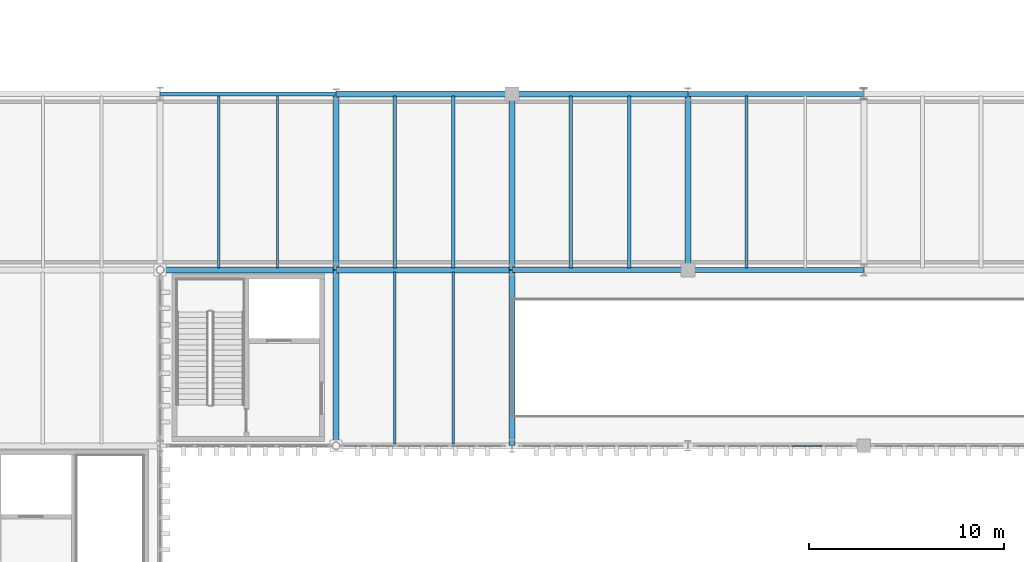
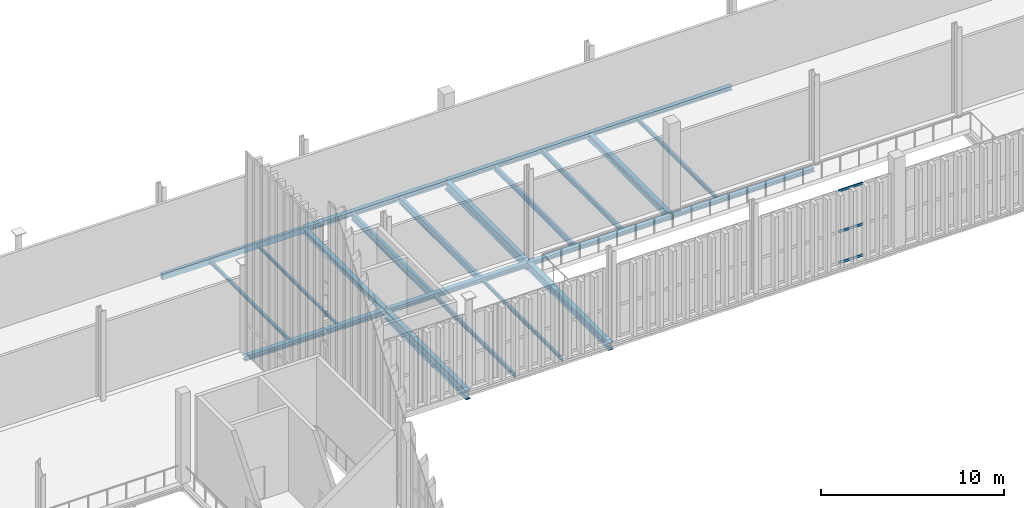
# One storey, part 82 of 237: 22 beams, 3 members, 1 element without a shape of its own.
"""IFC4 building model written with IfcOpenShell, lengths in metres."""

from ifc_helpers import new_model, si_unit, direction, frame, origin, origin_2d, place, context, subcontext, project, spatial, hollow_rectangle, i_section, extrude, material, layer, layer_set, material_profile, profile_set, type_object, element, aggregate, save


model = new_model("IFC4")

# Units and contexts
model_context = context("Model", 3, precision=1e-05, world=origin(), true_north=direction((0.0, 1.0)))
body_context = subcontext(model_context, "Body", "Model", "MODEL_VIEW")
ifc_project = project(units=[si_unit("LENGTHUNIT", "METRE"), si_unit("AREAUNIT", "SQUARE_METRE"), si_unit("VOLUMEUNIT", "CUBIC_METRE"), si_unit("PLANEANGLEUNIT", "RADIAN"), si_unit("MASSUNIT", "GRAM", prefix="KILO")], contexts=[model_context])

# Site, building, storey
site_placement = place(None, origin())
site = spatial("IfcSite", under=ifc_project, at=site_placement, CompositionType="ELEMENT")
building_placement = place(site_placement, origin())
building = spatial("IfcBuilding", under=site, at=building_placement, Name="Barlavento Convention Centre", CompositionType="ELEMENT")
storey_placement = place(building_placement, frame((0.0, 0.0, 12.0)))
storey = spatial("IfcBuildingStorey", under=building, at=storey_placement, Name="L02", CompositionType="ELEMENT", Elevation=12.0)

# Curtain wall, members
ifc_material_1 = material(Name="Powder-coated aluminium and Low-E glass", Category="aluminium")
ifc_layer = layer(ifc_material_1, 0.195068359375)
ifc_layer_set = layer_set([ifc_layer], Name="ARC-CW-BALL-L02")
curtain_wall_type = type_object("IfcCurtainWallType", Name="ARC-CW-BALL-L02", PredefinedType="NOTDEFINED", material=ifc_layer_set)
curtain_wall_placement = place(storey_placement, origin())
curtain_wall = element("IfcCurtainWall", 1, at=curtain_wall_placement, inside=storey, type_object=curtain_wall_type, Name="L02 unitised curtain wall CW07", PredefinedType="NOTDEFINED")
ifc_material_2 = material(Name="Powder-coated aluminium", Category="aluminium")
ifc_material_profile_1 = material_profile(ifc_material_2, hollow_rectangle(XDim=0.06494140625, YDim=0.159912109375, WallThickness=0.0048828125, at=origin_2d()), Name="AL-TRAN 65x160x5")
ifc_profile_set_1 = profile_set([ifc_material_profile_1], Name="Powder-coated aluminium")
member_type = type_object("IfcMemberType", Name="ARC-CWT-65X160", PredefinedType="USERDEFINED", material=ifc_profile_set_1)
member_1_placement = place(storey_placement, frame((95.311279296875, 45.0, 0.032470703125), z_axis=(1.0, 0.0, 0.0), x_axis=(0.0, 1.0, 0.0)))
member_1 = element("IfcMember", 2, at=member_1_placement, type_object=member_type, Name="CW07 transom 4.1", ObjectType="TRANSOM", PredefinedType="USERDEFINED", context=body_context, shape_type="SweptSolid", body=[
    extrude(hollow_rectangle(XDim=0.06494140625, YDim=0.159912109375, WallThickness=0.0048828125, at=origin_2d()), origin(), (0.0, 0.0, 1.0), 1.58056640625),
])
member_2_placement = place(storey_placement, frame((95.311279296875, 45.0, 2.10009765625), z_axis=(1.0, 0.0, 0.0), x_axis=(0.0, 1.0, 0.0)))
member_2 = element("IfcMember", 3, at=member_2_placement, type_object=member_type, Name="CW07 transom 4.2", ObjectType="TRANSOM", PredefinedType="USERDEFINED", context=body_context, shape_type="SweptSolid", body=[
    extrude(hollow_rectangle(XDim=0.06494140625, YDim=0.159912109375, WallThickness=0.0048828125, at=origin_2d()), origin(), (0.0, 0.0, 1.0), 1.58056640625),
])
member_3_placement = place(storey_placement, frame((95.311279296875, 45.0, 4.8173828125), z_axis=(1.0, 0.0, 0.0), x_axis=(0.0, 1.0, 0.0)))
member_3 = element("IfcMember", 4, at=member_3_placement, type_object=member_type, Name="CW07 transom 4.3", ObjectType="TRANSOM", PredefinedType="USERDEFINED", context=body_context, shape_type="SweptSolid", body=[
    extrude(hollow_rectangle(XDim=0.06494140625, YDim=0.159912109375, WallThickness=0.0048828125, at=origin_2d()), origin(), (0.0, 0.0, 1.0), 1.58056640625),
])
aggregate(curtain_wall, [member_1, member_2, member_3])

# Beams
ifc_material_3 = material(Name="Steel S355", Category="steel")
ifc_material_profile_2 = material_profile(ifc_material_3, i_section(OverallWidth=0.110107421875, OverallDepth=0.219970703125, WebThickness=0.005859375, FlangeThickness=0.00927734375, FilletRadius=0.011962890625, at=origin_2d()), Name="IPE 220")
ifc_profile_set_2 = profile_set([ifc_material_profile_2], Name="Steel S355")
beam_type_1 = type_object("IfcBeamType", Name="STR-BM-JST-IPE220", PredefinedType="JOIST", material=ifc_profile_set_2)
beam_1_placement = place(storey_placement, frame((69.0, 54.094970703125, -0.39990234375), z_axis=(0.0, 1.0, 0.0), x_axis=(-1.0, 0.0, 0.0)))
element("IfcBeam", 5, at=beam_1_placement, inside=storey, type_object=beam_type_1, Name="L02 composite floor joist SJ10", PredefinedType="JOIST", context=body_context, shape_type="SweptSolid", body=[
    extrude(i_section(OverallWidth=0.110107421875, OverallDepth=0.219970703125, WebThickness=0.005859375, FlangeThickness=0.00927734375, FilletRadius=0.011962890625, at=origin_2d()), origin(), (0.0, 0.0, 1.0), 8.81005859375),
])
ifc_material_profile_3 = material_profile(ifc_material_3, i_section(OverallWidth=0.1201171875, OverallDepth=0.239990234375, WebThickness=0.006103515625, FlangeThickness=0.009765625, FilletRadius=0.014892578125, at=origin_2d()), Name="IPE 240")
ifc_profile_set_3 = profile_set([ifc_material_profile_3], Name="Steel S355")
beam_type_2 = type_object("IfcBeamType", Name="STR-BM-JST-IPE240", PredefinedType="JOIST", material=ifc_profile_set_3)
for number, where, z_axis, x_axis, name in (
    (6, (78.0, 45.094970703125, -0.409912109375), (0.0, 1.0, 0.0), (-1.0, 0.0, 0.0), "L02 composite floor joist SJ09"),
    (7, (66.0, 54.094970703125, -0.409912109375), (0.0, 1.0, 0.0), (-1.0, 0.0, 0.0), "L02 composite floor joist SJ09"),
):
    element("IfcBeam", number, at=place(storey_placement, frame(where, z_axis=z_axis, x_axis=x_axis)), inside=storey, type_object=beam_type_2, Name=name, PredefinedType="JOIST", context=body_context, shape_type="SweptSolid", body=[
        extrude(i_section(OverallWidth=0.1201171875, OverallDepth=0.239990234375, WebThickness=0.006103515625, FlangeThickness=0.009765625, FilletRadius=0.014892578125, at=origin_2d()), origin(), (0.0, 0.0, 1.0), 8.81005859375),
    ])
ifc_material_profile_4 = material_profile(ifc_material_3, i_section(OverallWidth=0.135009765625, OverallDepth=0.27001953125, WebThickness=0.006591796875, FlangeThickness=0.01025390625, FilletRadius=0.014892578125, at=origin_2d()), Name="IPE 270")
ifc_profile_set_4 = profile_set([ifc_material_profile_4], Name="Steel S355")
beam_type_3 = type_object("IfcBeamType", Name="STR-BM-JST-IPE270", PredefinedType="JOIST", material=ifc_profile_set_4)
for number, where, z_axis, x_axis, name in (
    (8, (75.0, 45.094970703125, -0.425048828125), (0.0, 1.0, 0.0), (-1.0, 0.0, 0.0), "L02 composite floor joist SJ08"),
    (9, (93.0, 54.094970703125, -0.425048828125), (0.0, 1.0, 0.0), (-1.0, 0.0, 0.0), "L02 composite floor joist SJ08"),
):
    element("IfcBeam", number, at=place(storey_placement, frame(where, z_axis=z_axis, x_axis=x_axis)), inside=storey, type_object=beam_type_3, Name=name, PredefinedType="JOIST", context=body_context, shape_type="SweptSolid", body=[
        extrude(i_section(OverallWidth=0.135009765625, OverallDepth=0.27001953125, WebThickness=0.006591796875, FlangeThickness=0.01025390625, FilletRadius=0.014892578125, at=origin_2d()), origin(), (0.0, 0.0, 1.0), 8.81005859375),
    ])
ifc_material_profile_5 = material_profile(ifc_material_3, i_section(OverallWidth=0.159912109375, OverallDepth=0.330078125, WebThickness=0.007568359375, FlangeThickness=0.011474609375, FilletRadius=0.01806640625, at=origin_2d()), Name="IPE 330")
ifc_profile_set_5 = profile_set([ifc_material_profile_5], Name="Steel S355")
beam_type_4 = type_object("IfcBeamType", Name="STR-BM-JST-IPE330", PredefinedType="JOIST", material=ifc_profile_set_5)
beam_2_placement = place(storey_placement, frame((87.0, 54.094970703125, -0.455078125), z_axis=(0.0, 1.0, 0.0), x_axis=(-1.0, 0.0, 0.0)))
element("IfcBeam", 10, at=beam_2_placement, inside=storey, type_object=beam_type_4, Name="L02 composite floor joist SJ06", PredefinedType="JOIST", context=body_context, shape_type="SweptSolid", body=[
    extrude(i_section(OverallWidth=0.159912109375, OverallDepth=0.330078125, WebThickness=0.007568359375, FlangeThickness=0.011474609375, FilletRadius=0.01806640625, at=origin_2d()), origin(), (0.0, 0.0, 1.0), 8.81005859375),
])
ifc_material_profile_6 = material_profile(ifc_material_3, i_section(OverallWidth=0.169921875, OverallDepth=0.360107421875, WebThickness=0.008056640625, FlangeThickness=0.0126953125, FilletRadius=0.01806640625, at=origin_2d()), Name="IPE 360")
ifc_profile_set_6 = profile_set([ifc_material_profile_6], Name="Steel S355")
beam_type_5 = type_object("IfcBeamType", Name="STR-BM-JST-IPE360", PredefinedType="JOIST", material=ifc_profile_set_6)
beam_3_placement = place(storey_placement, frame((84.0, 54.094970703125, -0.469970703125), z_axis=(0.0, 1.0, 0.0), x_axis=(-1.0, 0.0, 0.0)))
element("IfcBeam", 11, at=beam_3_placement, inside=storey, type_object=beam_type_5, Name="L02 composite floor joist SJ05", PredefinedType="JOIST", context=body_context, shape_type="SweptSolid", body=[
    extrude(i_section(OverallWidth=0.169921875, OverallDepth=0.360107421875, WebThickness=0.008056640625, FlangeThickness=0.0126953125, FilletRadius=0.01806640625, at=origin_2d()), origin(), (0.0, 0.0, 1.0), 8.81005859375),
])
ifc_material_profile_7 = material_profile(ifc_material_3, i_section(OverallWidth=0.18994140625, OverallDepth=0.449951171875, WebThickness=0.009521484375, FlangeThickness=0.0146484375, FilletRadius=0.02099609375, at=origin_2d()), Name="IPE 450")
ifc_profile_set_7 = profile_set([ifc_material_profile_7], Name="Steel S355")
beam_type_6 = type_object("IfcBeamType", Name="STR-BM-JST-IPE450", PredefinedType="JOIST", material=ifc_profile_set_7)
beam_4_placement = place(storey_placement, frame((78.0, 54.094970703125, -0.514892578125), z_axis=(0.0, 1.0, 0.0), x_axis=(-1.0, 0.0, 0.0)))
element("IfcBeam", 12, at=beam_4_placement, inside=storey, type_object=beam_type_6, Name="L02 composite floor joist SJ03", PredefinedType="JOIST", context=body_context, shape_type="SweptSolid", body=[
    extrude(i_section(OverallWidth=0.18994140625, OverallDepth=0.449951171875, WebThickness=0.009521484375, FlangeThickness=0.0146484375, FilletRadius=0.02099609375, at=origin_2d()), origin(), (0.0, 0.0, 1.0), 8.81005859375),
])
ifc_material_profile_8 = material_profile(ifc_material_3, i_section(OverallWidth=0.199951171875, OverallDepth=0.5, WebThickness=0.01025390625, FlangeThickness=0.01611328125, FilletRadius=0.02099609375, at=origin_2d()), Name="IPE 500")
ifc_profile_set_8 = profile_set([ifc_material_profile_8], Name="Steel S355")
beam_type_7 = type_object("IfcBeamType", Name="STR-BM-JST-IPE500", PredefinedType="JOIST", material=ifc_profile_set_8)
beam_5_placement = place(storey_placement, frame((75.0, 54.094970703125, -0.5400390625), z_axis=(0.0, 1.0, 0.0), x_axis=(-1.0, 0.0, 0.0)))
element("IfcBeam", 13, at=beam_5_placement, inside=storey, type_object=beam_type_7, Name="L02 composite floor joist SJ02", PredefinedType="JOIST", context=body_context, shape_type="SweptSolid", body=[
    extrude(i_section(OverallWidth=0.199951171875, OverallDepth=0.5, WebThickness=0.01025390625, FlangeThickness=0.01611328125, FilletRadius=0.02099609375, at=origin_2d()), origin(), (0.0, 0.0, 1.0), 8.81005859375),
])
ifc_material_profile_9 = material_profile(ifc_material_3, i_section(OverallWidth=0.300048828125, OverallDepth=0.35009765625, WebThickness=0.010009765625, FlangeThickness=0.017578125, FilletRadius=0.027099609375, at=origin_2d()), Name="HEA 360")
ifc_profile_set_9 = profile_set([ifc_material_profile_9], Name="Steel S355")
beam_type_8 = type_object("IfcBeamType", Name="STR-BM-PRI-HEA360", PredefinedType="BEAM", material=ifc_profile_set_9)
beam_6_placement = place(storey_placement, frame((72.0, 54.02001953125, -0.465087890625), z_axis=(0.0, 1.0, 0.0), x_axis=(-1.0, 0.0, 0.0)))
element("IfcBeam", 14, at=beam_6_placement, inside=storey, type_object=beam_type_8, Name="L02 grid girder BG23", PredefinedType="BEAM", context=body_context, shape_type="SweptSolid", body=[
    extrude(i_section(OverallWidth=0.300048828125, OverallDepth=0.35009765625, WebThickness=0.010009765625, FlangeThickness=0.017578125, FilletRadius=0.027099609375, at=origin_2d()), origin(), (0.0, 0.0, 1.0), 8.9599609375),
])
ifc_material_profile_10 = material_profile(ifc_material_3, i_section(OverallWidth=0.300048828125, OverallDepth=0.43994140625, WebThickness=0.011474609375, FlangeThickness=0.02099609375, FilletRadius=0.027099609375, at=origin_2d()), Name="HEA 450")
ifc_profile_set_10 = profile_set([ifc_material_profile_10], Name="Steel S355")
beam_type_9 = type_object("IfcBeamType", Name="STR-BM-PRI-HEA450", PredefinedType="BEAM", material=ifc_profile_set_10)
beam_7_placement = place(storey_placement, frame((90.0, 54.02001953125, -0.510009765625), z_axis=(0.0, 1.0, 0.0), x_axis=(-1.0, 0.0, 0.0)))
element("IfcBeam", 15, at=beam_7_placement, inside=storey, type_object=beam_type_9, Name="L02 grid girder BG21", PredefinedType="BEAM", context=body_context, shape_type="SweptSolid", body=[
    extrude(i_section(OverallWidth=0.300048828125, OverallDepth=0.43994140625, WebThickness=0.011474609375, FlangeThickness=0.02099609375, FilletRadius=0.027099609375, at=origin_2d()), origin(), (0.0, 0.0, 1.0), 8.9599609375),
])
ifc_material_profile_11 = material_profile(ifc_material_3, i_section(OverallWidth=0.300048828125, OverallDepth=0.489990234375, WebThickness=0.011962890625, FlangeThickness=0.02294921875, FilletRadius=0.027099609375, at=origin_2d()), Name="HEA 500")
ifc_profile_set_11 = profile_set([ifc_material_profile_11], Name="Steel S355")
beam_type_10 = type_object("IfcBeamType", Name="STR-BM-PRI-HEA500", PredefinedType="BEAM", material=ifc_profile_set_11)
beam_8_placement = place(storey_placement, frame((81.0, 45.02001953125, -0.534912109375), z_axis=(0.0, 1.0, 0.0), x_axis=(-1.0, 0.0, 0.0)))
element("IfcBeam", 16, at=beam_8_placement, inside=storey, type_object=beam_type_10, Name="L02 grid girder BG20", PredefinedType="BEAM", context=body_context, shape_type="SweptSolid", body=[
    extrude(i_section(OverallWidth=0.300048828125, OverallDepth=0.489990234375, WebThickness=0.011962890625, FlangeThickness=0.02294921875, FilletRadius=0.027099609375, at=origin_2d()), origin(), (0.0, 0.0, 1.0), 8.9599609375),
])
ifc_material_profile_12 = material_profile(ifc_material_3, i_section(OverallWidth=0.300048828125, OverallDepth=0.590087890625, WebThickness=0.012939453125, FlangeThickness=0.02490234375, FilletRadius=0.027099609375, at=origin_2d()), Name="HEA 600")
ifc_profile_set_12 = profile_set([ifc_material_profile_12], Name="Steel S355")
beam_type_11 = type_object("IfcBeamType", Name="STR-BM-PRI-HEA600", PredefinedType="BEAM", material=ifc_profile_set_12)
beam_9_placement = place(storey_placement, frame((81.0, 54.02001953125, -0.5849609375), z_axis=(0.0, 1.0, 0.0), x_axis=(-1.0, 0.0, 0.0)))
element("IfcBeam", 17, at=beam_9_placement, inside=storey, type_object=beam_type_11, Name="L02 grid girder BG18", PredefinedType="BEAM", context=body_context, shape_type="SweptSolid", body=[
    extrude(i_section(OverallWidth=0.300048828125, OverallDepth=0.590087890625, WebThickness=0.012939453125, FlangeThickness=0.02490234375, FilletRadius=0.027099609375, at=origin_2d()), origin(), (0.0, 0.0, 1.0), 8.9599609375),
])
ifc_material_profile_13 = material_profile(ifc_material_3, i_section(OverallWidth=0.300048828125, OverallDepth=0.639892578125, WebThickness=0.013427734375, FlangeThickness=0.02587890625, FilletRadius=0.027099609375, at=origin_2d()), Name="HEA 650")
ifc_profile_set_13 = profile_set([ifc_material_profile_13], Name="Steel S355")
beam_type_12 = type_object("IfcBeamType", Name="STR-BM-PRI-HEA650", PredefinedType="BEAM", material=ifc_profile_set_13)
beam_10_placement = place(storey_placement, frame((72.0, 45.02001953125, -0.610107421875), z_axis=(0.0, 1.0, 0.0), x_axis=(-1.0, 0.0, 0.0)))
element("IfcBeam", 18, at=beam_10_placement, inside=storey, type_object=beam_type_12, Name="L02 grid girder BG17", PredefinedType="BEAM", context=body_context, shape_type="SweptSolid", body=[
    extrude(i_section(OverallWidth=0.300048828125, OverallDepth=0.639892578125, WebThickness=0.013427734375, FlangeThickness=0.02587890625, FilletRadius=0.027099609375, at=origin_2d()), origin(), (0.0, 0.0, 1.0), 8.9599609375),
])
ifc_material_profile_14 = material_profile(ifc_material_3, i_section(OverallWidth=0.260009765625, OverallDepth=0.260009765625, WebThickness=0.010009765625, FlangeThickness=0.017578125, FilletRadius=0.02392578125, at=origin_2d()), Name="HEB 260")
ifc_profile_set_14 = profile_set([ifc_material_profile_14], Name="Steel S355")
beam_type_13 = type_object("IfcBeamType", Name="STR-BM-PRI-HEB260", PredefinedType="BEAM", material=ifc_profile_set_14)
beam_11_placement = place(storey_placement, frame((90.02001953125, 54.0, -0.419921875), z_axis=(1.0, 0.0, 0.0), x_axis=(0.0, 1.0, 0.0)))
element("IfcBeam", 19, at=beam_11_placement, inside=storey, type_object=beam_type_13, Name="L02 primary girder BG16", PredefinedType="BEAM", context=body_context, shape_type="SweptSolid", body=[
    extrude(i_section(OverallWidth=0.260009765625, OverallDepth=0.260009765625, WebThickness=0.010009765625, FlangeThickness=0.017578125, FilletRadius=0.02392578125, at=origin_2d()), origin(), (0.0, 0.0, 1.0), 8.9599609375),
])
ifc_material_profile_15 = material_profile(ifc_material_3, i_section(OverallWidth=0.280029296875, OverallDepth=0.280029296875, WebThickness=0.010498046875, FlangeThickness=0.01806640625, FilletRadius=0.02392578125, at=origin_2d()), Name="HEB 280")
ifc_profile_set_15 = profile_set([ifc_material_profile_15], Name="Steel S355")
beam_type_14 = type_object("IfcBeamType", Name="STR-BM-PRI-HEB280", PredefinedType="BEAM", material=ifc_profile_set_15)
beam_12_placement = place(storey_placement, frame((81.02001953125, 54.0, -0.429931640625), z_axis=(1.0, 0.0, 0.0), x_axis=(0.0, 1.0, 0.0)))
element("IfcBeam", 20, at=beam_12_placement, inside=storey, type_object=beam_type_14, Name="L02 primary girder BG15", PredefinedType="BEAM", context=body_context, shape_type="SweptSolid", body=[
    extrude(i_section(OverallWidth=0.280029296875, OverallDepth=0.280029296875, WebThickness=0.010498046875, FlangeThickness=0.01806640625, FilletRadius=0.02392578125, at=origin_2d()), origin(), (0.0, 0.0, 1.0), 8.9599609375),
])
ifc_material_profile_16 = material_profile(ifc_material_3, i_section(OverallWidth=0.300048828125, OverallDepth=0.300048828125, WebThickness=0.010986328125, FlangeThickness=0.01904296875, FilletRadius=0.027099609375, at=origin_2d()), Name="HEB 300")
ifc_profile_set_16 = profile_set([ifc_material_profile_16], Name="Steel S355")
beam_type_15 = type_object("IfcBeamType", Name="STR-BM-PRI-HEB300", PredefinedType="BEAM", material=ifc_profile_set_16)
beam_13_placement = place(storey_placement, frame((72.02001953125, 54.0, -0.43994140625), z_axis=(1.0, 0.0, 0.0), x_axis=(0.0, 1.0, 0.0)))
element("IfcBeam", 21, at=beam_13_placement, inside=storey, type_object=beam_type_15, Name="L02 primary girder BG14", PredefinedType="BEAM", context=body_context, shape_type="SweptSolid", body=[
    extrude(i_section(OverallWidth=0.300048828125, OverallDepth=0.300048828125, WebThickness=0.010986328125, FlangeThickness=0.01904296875, FilletRadius=0.027099609375, at=origin_2d()), origin(), (0.0, 0.0, 1.0), 8.9599609375),
])
ifc_material_profile_17 = material_profile(ifc_material_3, i_section(OverallWidth=0.300048828125, OverallDepth=0.320068359375, WebThickness=0.011474609375, FlangeThickness=0.0205078125, FilletRadius=0.027099609375, at=origin_2d()), Name="HEB 320")
ifc_profile_set_17 = profile_set([ifc_material_profile_17], Name="Steel S355")
beam_type_16 = type_object("IfcBeamType", Name="STR-BM-PRI-HEB320", PredefinedType="BEAM", material=ifc_profile_set_17)
beam_14_placement = place(storey_placement, frame((63.02001953125, 54.0, -0.4599609375), z_axis=(1.0, 0.0, 0.0), x_axis=(0.0, 1.0, 0.0)))
element("IfcBeam", 22, at=beam_14_placement, inside=storey, type_object=beam_type_16, Name="L02 primary girder BG13", PredefinedType="BEAM", context=body_context, shape_type="SweptSolid", body=[
    extrude(i_section(OverallWidth=0.300048828125, OverallDepth=0.320068359375, WebThickness=0.011474609375, FlangeThickness=0.0205078125, FilletRadius=0.027099609375, at=origin_2d()), origin(), (0.0, 0.0, 1.0), 8.9599609375),
])
ifc_material_profile_18 = material_profile(ifc_material_3, i_section(OverallWidth=0.280029296875, OverallDepth=0.27001953125, WebThickness=0.008056640625, FlangeThickness=0.012939453125, FilletRadius=0.02392578125, at=origin_2d()), Name="HEA 280")
ifc_profile_set_18 = profile_set([ifc_material_profile_18], Name="Steel S355")
beam_type_17 = type_object("IfcBeamType", Name="STR-BM-SPN-HEA280", PredefinedType="SPANDREL", material=ifc_profile_set_18)
beam_15_placement = place(storey_placement, frame((90.02001953125, 63.0, -0.4150390625), z_axis=(1.0, 0.0, 0.0), x_axis=(0.0, 1.0, 0.0)))
element("IfcBeam", 23, at=beam_15_placement, inside=storey, type_object=beam_type_17, Name="L02 primary girder SP03", PredefinedType="SPANDREL", context=body_context, shape_type="SweptSolid", body=[
    extrude(i_section(OverallWidth=0.280029296875, OverallDepth=0.27001953125, WebThickness=0.008056640625, FlangeThickness=0.012939453125, FilletRadius=0.02392578125, at=origin_2d()), origin(), (0.0, 0.0, 1.0), 8.9599609375),
])
ifc_material_profile_19 = material_profile(ifc_material_3, i_section(OverallWidth=0.300048828125, OverallDepth=0.2900390625, WebThickness=0.008544921875, FlangeThickness=0.013916015625, FilletRadius=0.027099609375, at=origin_2d()), Name="HEA 300")
ifc_profile_set_19 = profile_set([ifc_material_profile_19], Name="Steel S355")
beam_type_18 = type_object("IfcBeamType", Name="STR-BM-SPN-HEA300", PredefinedType="SPANDREL", material=ifc_profile_set_19)
beam_16_placement = place(storey_placement, frame((81.02001953125, 63.0, -0.425048828125), z_axis=(1.0, 0.0, 0.0), x_axis=(0.0, 1.0, 0.0)))
element("IfcBeam", 24, at=beam_16_placement, inside=storey, type_object=beam_type_18, Name="L02 primary girder SP02", PredefinedType="SPANDREL", context=body_context, shape_type="SweptSolid", body=[
    extrude(i_section(OverallWidth=0.300048828125, OverallDepth=0.2900390625, WebThickness=0.008544921875, FlangeThickness=0.013916015625, FilletRadius=0.027099609375, at=origin_2d()), origin(), (0.0, 0.0, 1.0), 8.9599609375),
])
ifc_material_profile_20 = material_profile(ifc_material_3, i_section(OverallWidth=0.300048828125, OverallDepth=0.31005859375, WebThickness=0.009033203125, FlangeThickness=0.015380859375, FilletRadius=0.027099609375, at=origin_2d()), Name="HEA 320")
ifc_profile_set_20 = profile_set([ifc_material_profile_20], Name="Steel S355")
beam_type_19 = type_object("IfcBeamType", Name="STR-BM-SPN-HEA320", PredefinedType="SPANDREL", material=ifc_profile_set_20)
beam_17_placement = place(storey_placement, frame((72.02001953125, 63.0, -0.43505859375), z_axis=(1.0, 0.0, 0.0), x_axis=(0.0, 1.0, 0.0)))
element("IfcBeam", 25, at=beam_17_placement, inside=storey, type_object=beam_type_19, Name="L02 primary girder SP01", PredefinedType="SPANDREL", context=body_context, shape_type="SweptSolid", body=[
    extrude(i_section(OverallWidth=0.300048828125, OverallDepth=0.31005859375, WebThickness=0.009033203125, FlangeThickness=0.015380859375, FilletRadius=0.027099609375, at=origin_2d()), origin(), (0.0, 0.0, 1.0), 8.9599609375),
])
ifc_material_profile_21 = material_profile(ifc_material_3, hollow_rectangle(XDim=0.199951171875, YDim=0.39990234375, WallThickness=0.01611328125, at=origin_2d()), Name="RHS 400x200x16.0")
ifc_profile_set_21 = profile_set([ifc_material_profile_21], Name="Steel S355")
beam_type_20 = type_object("IfcBeamType", Name="STR-BM-SPN-RHS400", PredefinedType="SPANDREL", material=ifc_profile_set_21)
beam_18_placement = place(storey_placement, frame((63.02001953125, 63.0, -0.47998046875), z_axis=(1.0, 0.0, 0.0), x_axis=(0.0, 1.0, 0.0)))
element("IfcBeam", 26, at=beam_18_placement, inside=storey, type_object=beam_type_20, Name="L02 primary girder SP06", PredefinedType="SPANDREL", context=body_context, shape_type="SweptSolid", body=[
    extrude(hollow_rectangle(XDim=0.199951171875, YDim=0.39990234375, WallThickness=0.01611328125, at=origin_2d()), origin(), (0.0, 0.0, 1.0), 8.9599609375),
])

save(model, "model.ifc")
